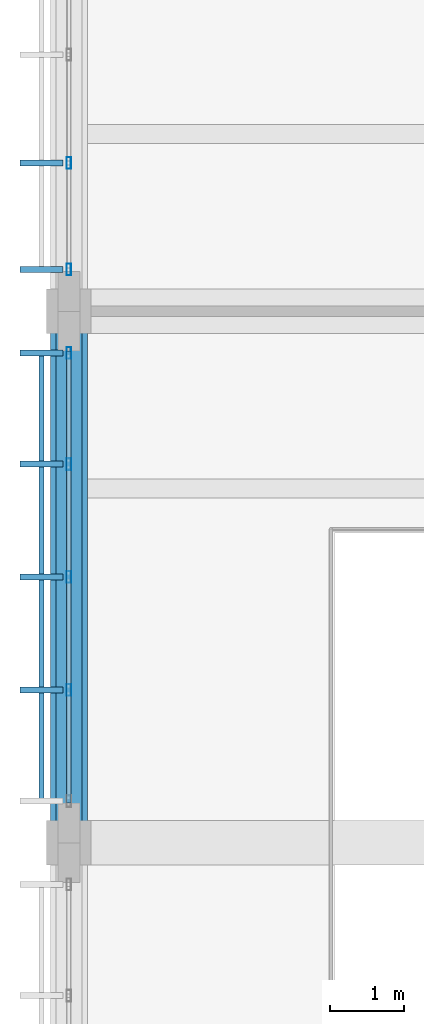
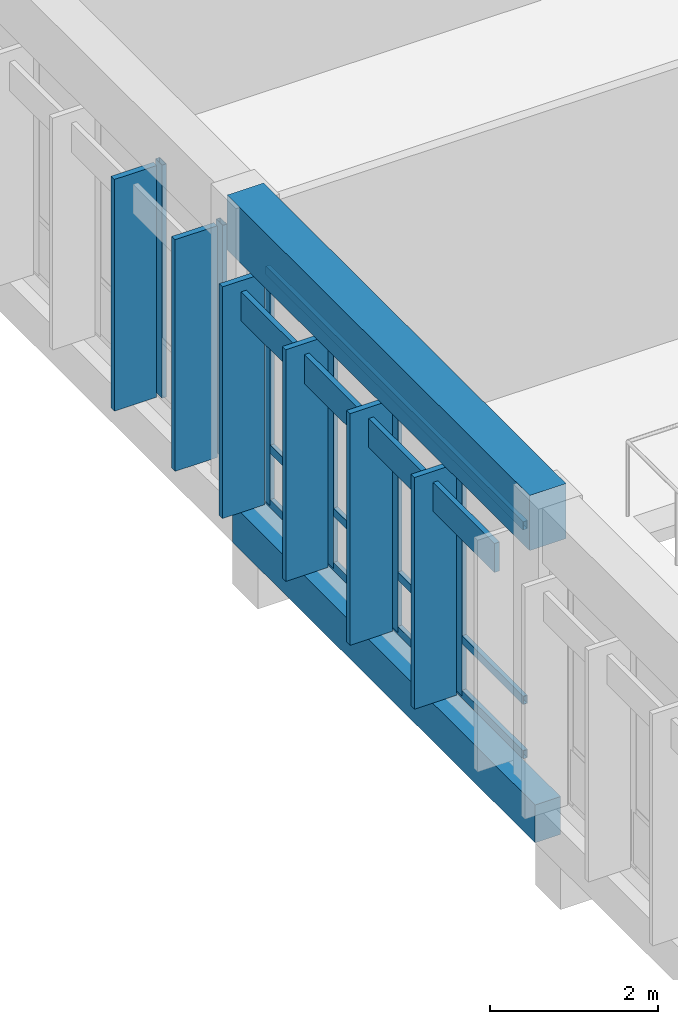
# One storey, part 21 of 182: 16 members, 2 beams, 2 elements without a shape of their own.
"""IFC4 building model written with IfcOpenShell, lengths in metres."""

from ifc_helpers import new_model, si_unit, direction, frame, origin, origin_2d, place, context, subcontext, project, spatial, rectangle, hollow_rectangle, extrude, material, material_profile, profile_set, type_object, element, aggregate, save


model = new_model("IFC4")

# Units and contexts
model_context = context("Model", 3, precision=1e-05, world=origin(), true_north=direction((0.0, 1.0)))
body_context = subcontext(model_context, "Body", "Model", "MODEL_VIEW")
ifc_project = project(units=[si_unit("LENGTHUNIT", "METRE"), si_unit("AREAUNIT", "SQUARE_METRE"), si_unit("VOLUMEUNIT", "CUBIC_METRE"), si_unit("PLANEANGLEUNIT", "RADIAN"), si_unit("MASSUNIT", "GRAM", prefix="KILO")], contexts=[model_context])

# Site, building, storey
site_placement = place(None, origin())
site = spatial("IfcSite", under=ifc_project, at=site_placement, CompositionType="ELEMENT")
building_placement = place(site_placement, origin())
building = spatial("IfcBuilding", under=site, at=building_placement, Name="Chiffa Square Polytechnic", CompositionType="ELEMENT")
storey_placement = place(building_placement, frame((0.0, 0.0, 9.60009765625)))
storey = spatial("IfcBuildingStorey", under=building, at=storey_placement, Name="L02", CompositionType="ELEMENT", Elevation=9.60009765625)

# Beams
ifc_material_1 = material(Name="Concrete C35/45", Category="concrete")
ifc_material_profile_1 = material_profile(ifc_material_1, rectangle(XDim=0.35009765625, YDim=0.550048828125, at=origin_2d()), Name="RC 350x550")
ifc_profile_set_1 = profile_set([ifc_material_profile_1], Name="Concrete C35/45")
beam_type_1 = type_object("IfcBeamType", Name="BM-RC-350X550", PredefinedType="BEAM", material=ifc_profile_set_1)
beam_1_placement = place(storey_placement, frame((0.0, 21.60009765625, -0.59521484375), z_axis=(0.0, 1.0, 0.0), x_axis=(-1.0, 0.0, 0.0)))
element("IfcBeam", 1, at=beam_1_placement, inside=storey, type_object=beam_type_1, Name="Primary floor girder BM-V3-L02-Y-0000-0216", PredefinedType="BEAM", context=body_context, shape_type="SweptSolid", body=[
    extrude(rectangle(XDim=0.35009765625, YDim=0.550048828125, at=origin_2d()), origin(), (0.0, 0.0, 1.0), 7.199951171875),
])
ifc_material_2 = material(Name="Concrete C40/50", Category="concrete")
ifc_material_profile_2 = material_profile(ifc_material_2, rectangle(XDim=0.5, YDim=0.800048828125, at=origin_2d()), Name="RC 500x800")
ifc_profile_set_2 = profile_set([ifc_material_profile_2], Name="Concrete C40/50")
beam_type_2 = type_object("IfcBeamType", Name="BM-RC-500X800", PredefinedType="BEAM", material=ifc_profile_set_2)
beam_2_placement = place(storey_placement, frame((0.0, 21.60009765625, 3.7998046875), z_axis=(0.0, 1.0, 0.0), x_axis=(-1.0, 0.0, 0.0)))
element("IfcBeam", 2, at=beam_2_placement, inside=storey, type_object=beam_type_2, Name="Lecture west eave ring beam BM-V3-EAVTIE-W4", PredefinedType="BEAM", context=body_context, shape_type="SweptSolid", body=[
    extrude(rectangle(XDim=0.5, YDim=0.800048828125, at=origin_2d()), origin(), (0.0, 0.0, 1.0), 7.199951171875),
])

# Curtain wall, members
ifc_material_3 = material(Name="Aluminium EN AW-6060 T66 and glulam shading", Category="wood")
curtain_wall_type_1 = type_object("IfcCurtainWallType", Name="CW-VERT-480X380", PredefinedType="USERDEFINED", material=ifc_material_3)
curtain_wall_1_placement = place(storey_placement, origin())
curtain_wall_1 = element("IfcCurtainWall", 3, at=curtain_wall_1_placement, inside=storey, type_object=curtain_wall_type_1, Name="Curtain wall CW-V3-L02-174", ObjectType="CURTAIN WALL", PredefinedType="USERDEFINED")
ifc_material_4 = material(Name="Aluminium EN AW-6060 T66", Category="aluminium")
ifc_material_profile_3 = material_profile(ifc_material_4, hollow_rectangle(XDim=0.06005859375, YDim=0.159912109375, WallThickness=0.00390625, at=origin_2d()), Name="ALU 60x160x4")
ifc_profile_set_3 = profile_set([ifc_material_profile_3], Name="Aluminium EN AW-6060 T66")
member_type_1 = type_object("IfcMemberType", Name="CWM-ALU-65X150", PredefinedType="MULLION", material=ifc_profile_set_3)
member_1_placement = place(storey_placement, frame((0.0, 30.80810546875, 0.0), z_axis=(0.0, 0.0, 1.0), x_axis=(1.0, 0.0, 0.0)))
member_1 = element("IfcMember", 4, at=member_1_placement, type_object=member_type_1, Name="Curtain wall mullion CW-V3-L02-174-M03", PredefinedType="MULLION", context=body_context, shape_type="SweptSolid", body=[
    extrude(hollow_rectangle(XDim=0.06005859375, YDim=0.159912109375, WallThickness=0.00390625, at=origin_2d()), origin(), (0.0, 0.0, 1.0), 3.385009765625),
])
member_2_placement = place(storey_placement, frame((0.0, 29.364990234375, 0.0), z_axis=(0.0, 0.0, 1.0), x_axis=(1.0, 0.0, 0.0)))
member_2 = element("IfcMember", 5, at=member_2_placement, type_object=member_type_1, Name="Curtain wall mullion CW-V3-L02-174-M04", PredefinedType="MULLION", context=body_context, shape_type="SweptSolid", body=[
    extrude(hollow_rectangle(XDim=0.06005859375, YDim=0.159912109375, WallThickness=0.00390625, at=origin_2d()), origin(), (0.0, 0.0, 1.0), 3.385009765625),
])

curtain_wall_type_2 = type_object("IfcCurtainWallType", Name="CW-VERT-540X440", PredefinedType="USERDEFINED", material=ifc_material_3)
curtain_wall_2_placement = place(storey_placement, origin())
curtain_wall_2 = element("IfcCurtainWall", 6, at=curtain_wall_2_placement, inside=storey, type_object=curtain_wall_type_2, Name="Curtain wall CW-V3-L02-175", ObjectType="CURTAIN WALL", PredefinedType="USERDEFINED")
member_3_placement = place(storey_placement, frame((0.0, 28.235107421875, 0.0), z_axis=(0.0, 0.0, 1.0), x_axis=(1.0, 0.0, 0.0)))
member_3 = element("IfcMember", 7, at=member_3_placement, type_object=member_type_1, Name="Curtain wall mullion CW-V3-L02-175-M00", PredefinedType="MULLION", context=body_context, shape_type="SweptSolid", body=[
    extrude(hollow_rectangle(XDim=0.06005859375, YDim=0.159912109375, WallThickness=0.00390625, at=origin_2d()), origin(), (0.0, 0.0, 1.0), 3.385009765625),
])
member_4_placement = place(storey_placement, frame((0.0, 26.72998046875, 0.0), z_axis=(0.0, 0.0, 1.0), x_axis=(1.0, 0.0, 0.0)))
member_4 = element("IfcMember", 8, at=member_4_placement, type_object=member_type_1, Name="Curtain wall mullion CW-V3-L02-175-M01", PredefinedType="MULLION", context=body_context, shape_type="SweptSolid", body=[
    extrude(hollow_rectangle(XDim=0.06005859375, YDim=0.159912109375, WallThickness=0.00390625, at=origin_2d()), origin(), (0.0, 0.0, 1.0), 3.385009765625),
])
member_5_placement = place(storey_placement, frame((0.0, 25.199951171875, 0.0), z_axis=(0.0, 0.0, 1.0), x_axis=(1.0, 0.0, 0.0)))
member_5 = element("IfcMember", 9, at=member_5_placement, type_object=member_type_1, Name="Curtain wall mullion CW-V3-L02-175-M02", PredefinedType="MULLION", context=body_context, shape_type="SweptSolid", body=[
    extrude(hollow_rectangle(XDim=0.06005859375, YDim=0.159912109375, WallThickness=0.00390625, at=origin_2d()), origin(), (0.0, 0.0, 1.0), 3.385009765625),
])
member_6_placement = place(storey_placement, frame((0.0, 23.669921875, 0.0), z_axis=(0.0, 0.0, 1.0), x_axis=(1.0, 0.0, 0.0)))
member_6 = element("IfcMember", 10, at=member_6_placement, type_object=member_type_1, Name="Curtain wall mullion CW-V3-L02-175-M03", PredefinedType="MULLION", context=body_context, shape_type="SweptSolid", body=[
    extrude(hollow_rectangle(XDim=0.06005859375, YDim=0.159912109375, WallThickness=0.00390625, at=origin_2d()), origin(), (0.0, 0.0, 1.0), 3.385009765625),
])

# Member
ifc_material_5 = material(Name="Glulam GL28h", Category="wood")
ifc_material_profile_4 = material_profile(ifc_material_5, rectangle(XDim=0.080078125, YDim=0.580078125, at=origin_2d()), Name="GL28h 80x580")
ifc_profile_set_4 = profile_set([ifc_material_profile_4], Name="Glulam GL28h")
member_type_2 = type_object("IfcMemberType", Name="CWM-GL-80X580", PredefinedType="MULLION", material=ifc_profile_set_4)
member_7_placement = place(storey_placement, frame((-0.3720703125, 30.80810546875, 0.010009765625), z_axis=(0.0, 0.0, 1.0), x_axis=(0.0, -1.0, 0.0)))
member_7 = element("IfcMember", 11, at=member_7_placement, type_object=member_type_2, Name="Exterior glulam solar fin CW-V3-L02-174-FN03", PredefinedType="MULLION", context=body_context, shape_type="SweptSolid", body=[
    extrude(rectangle(XDim=0.080078125, YDim=0.580078125, at=origin_2d()), origin(), (0.0, 0.0, 1.0), 3.364990234375),
])

member_8_placement = place(storey_placement, frame((-0.3720703125, 29.364990234375, 0.010009765625), z_axis=(0.0, 0.0, 1.0), x_axis=(0.0, -1.0, 0.0)))
member_8 = element("IfcMember", 12, at=member_8_placement, type_object=member_type_2, Name="Exterior glulam solar fin CW-V3-L02-174-FN04", PredefinedType="MULLION", context=body_context, shape_type="SweptSolid", body=[
    extrude(rectangle(XDim=0.080078125, YDim=0.580078125, at=origin_2d()), origin(), (0.0, 0.0, 1.0), 3.364990234375),
])

aggregate(curtain_wall_1, [member_1, member_7, member_2, member_8])

member_9_placement = place(storey_placement, frame((-0.3720703125, 28.235107421875, 0.010009765625), z_axis=(0.0, 0.0, 1.0), x_axis=(0.0, -1.0, 0.0)))
member_9 = element("IfcMember", 13, at=member_9_placement, type_object=member_type_2, Name="Exterior glulam solar fin CW-V3-L02-175-FN00", PredefinedType="MULLION", context=body_context, shape_type="SweptSolid", body=[
    extrude(rectangle(XDim=0.080078125, YDim=0.580078125, at=origin_2d()), origin(), (0.0, 0.0, 1.0), 3.364990234375),
])

member_10_placement = place(storey_placement, frame((-0.3720703125, 26.72998046875, 0.010009765625), z_axis=(0.0, 0.0, 1.0), x_axis=(0.0, -1.0, 0.0)))
member_10 = element("IfcMember", 14, at=member_10_placement, type_object=member_type_2, Name="Exterior glulam solar fin CW-V3-L02-175-FN01", PredefinedType="MULLION", context=body_context, shape_type="SweptSolid", body=[
    extrude(rectangle(XDim=0.080078125, YDim=0.580078125, at=origin_2d()), origin(), (0.0, 0.0, 1.0), 3.364990234375),
])

member_11_placement = place(storey_placement, frame((-0.3720703125, 25.199951171875, 0.010009765625), z_axis=(0.0, 0.0, 1.0), x_axis=(0.0, -1.0, 0.0)))
member_11 = element("IfcMember", 15, at=member_11_placement, type_object=member_type_2, Name="Exterior glulam solar fin CW-V3-L02-175-FN02", PredefinedType="MULLION", context=body_context, shape_type="SweptSolid", body=[
    extrude(rectangle(XDim=0.080078125, YDim=0.580078125, at=origin_2d()), origin(), (0.0, 0.0, 1.0), 3.364990234375),
])

member_12_placement = place(storey_placement, frame((-0.3720703125, 23.669921875, 0.010009765625), z_axis=(0.0, 0.0, 1.0), x_axis=(0.0, -1.0, 0.0)))
member_12 = element("IfcMember", 16, at=member_12_placement, type_object=member_type_2, Name="Exterior glulam solar fin CW-V3-L02-175-FN03", PredefinedType="MULLION", context=body_context, shape_type="SweptSolid", body=[
    extrude(rectangle(XDim=0.080078125, YDim=0.580078125, at=origin_2d()), origin(), (0.0, 0.0, 1.0), 3.364990234375),
])

ifc_material_profile_5 = material_profile(ifc_material_4, hollow_rectangle(XDim=0.06005859375, YDim=0.1201171875, WallThickness=0.00390625, at=origin_2d()), Name="ALU 60x120x4")
ifc_profile_set_5 = profile_set([ifc_material_profile_5], Name="Aluminium EN AW-6060 T66")
member_type_3 = type_object("IfcMemberType", Name="CWT-ALU-65X120", PredefinedType="USERDEFINED", material=ifc_profile_set_5)
member_13_placement = place(storey_placement, frame((0.0, 28.261962890625, 0.02978515625), z_axis=(0.0, -1.0, 0.0), x_axis=(1.0, 0.0, 0.0)))
member_13 = element("IfcMember", 17, at=member_13_placement, type_object=member_type_3, Name="Curtain wall transom CW-V3-L02-175-T01", ObjectType="TRANSOM", PredefinedType="USERDEFINED", context=body_context, shape_type="SweptSolid", body=[
    extrude(hollow_rectangle(XDim=0.06005859375, YDim=0.1201171875, WallThickness=0.00390625, at=origin_2d()), origin(), (0.0, 0.0, 1.0), 6.1240234375),
])

member_14_placement = place(storey_placement, frame((0.0, 28.261962890625, 0.81982421875), z_axis=(0.0, -1.0, 0.0), x_axis=(1.0, 0.0, 0.0)))
member_14 = element("IfcMember", 18, at=member_14_placement, type_object=member_type_3, Name="Curtain wall transom CW-V3-L02-175-T02", ObjectType="TRANSOM", PredefinedType="USERDEFINED", context=body_context, shape_type="SweptSolid", body=[
    extrude(hollow_rectangle(XDim=0.06005859375, YDim=0.1201171875, WallThickness=0.00390625, at=origin_2d()), origin(), (0.0, 0.0, 1.0), 6.1240234375),
])

member_15_placement = place(storey_placement, frame((0.0, 28.261962890625, 3.35498046875), z_axis=(0.0, -1.0, 0.0), x_axis=(1.0, 0.0, 0.0)))
member_15 = element("IfcMember", 19, at=member_15_placement, type_object=member_type_3, Name="Curtain wall transom CW-V3-L02-175-T03", ObjectType="TRANSOM", PredefinedType="USERDEFINED", context=body_context, shape_type="SweptSolid", body=[
    extrude(hollow_rectangle(XDim=0.06005859375, YDim=0.1201171875, WallThickness=0.00390625, at=origin_2d()), origin(), (0.0, 0.0, 1.0), 6.1240234375),
])

ifc_material_profile_6 = material_profile(ifc_material_5, rectangle(XDim=0.070068359375, YDim=0.419921875, at=origin_2d()), Name="GL28h 70x420")
ifc_profile_set_6 = profile_set([ifc_material_profile_6], Name="Glulam GL28h")
member_type_4 = type_object("IfcMemberType", Name="CWT-GL-70X420", PredefinedType="USERDEFINED", material=ifc_profile_set_6)
member_16_placement = place(storey_placement, frame((-0.3720703125, 28.235107421875, 3.0048828125), z_axis=(0.0, -1.0, 0.0), x_axis=(1.0, 0.0, 0.0)))
member_16 = element("IfcMember", 20, at=member_16_placement, type_object=member_type_4, Name="Exterior glulam brise-soleil CW-V3-L02-175-BS01", ObjectType="TRANSOM", PredefinedType="USERDEFINED", context=body_context, shape_type="SweptSolid", body=[
    extrude(rectangle(XDim=0.070068359375, YDim=0.419921875, at=origin_2d()), origin(), (0.0, 0.0, 1.0), 6.070068359375),
])

aggregate(curtain_wall_2, [member_3, member_9, member_4, member_10, member_5, member_11, member_6, member_12, member_13, member_14, member_15, member_16])

save(model, "model.ifc")
